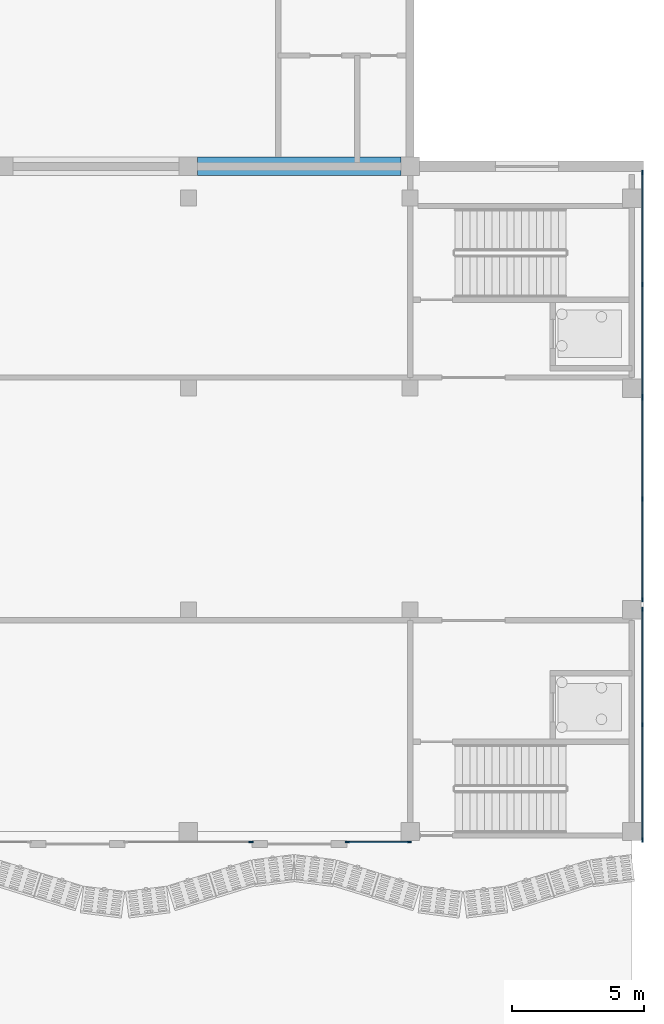
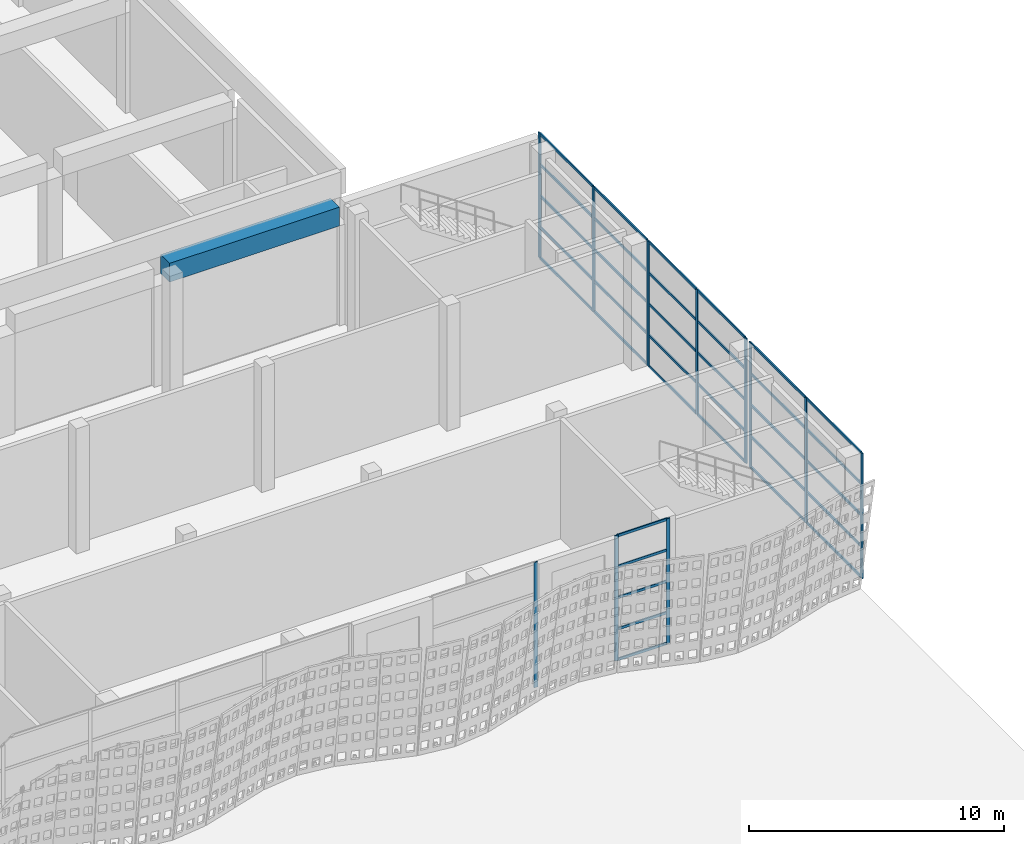
# One storey, part 72 of 210: 47 members, 1 beam, 5 elements without a shape of their own.
"""IFC4 building model written with IfcOpenShell, lengths in metres."""

from ifc_helpers import new_model, si_unit, direction, frame, origin, origin_2d, place, context, subcontext, project, spatial, rectangle, extrude, material, layer, layer_set, material_profile, profile_set, type_object, element, aggregate, save


model = new_model("IFC4")

# Units and contexts
model_context = context("Model", 3, precision=1e-05, world=origin(), true_north=direction((0.0, 1.0)))
body_context = subcontext(model_context, "Body", "Model", "MODEL_VIEW")
ifc_project = project(units=[si_unit("LENGTHUNIT", "METRE"), si_unit("AREAUNIT", "SQUARE_METRE"), si_unit("VOLUMEUNIT", "CUBIC_METRE"), si_unit("PLANEANGLEUNIT", "RADIAN"), si_unit("MASSUNIT", "GRAM", prefix="KILO")], contexts=[model_context])

# Site, building, storey
site_placement = place(None, origin())
site = spatial("IfcSite", under=ifc_project, at=site_placement, CompositionType="ELEMENT")
building_placement = place(site_placement, origin())
building = spatial("IfcBuilding", under=site, at=building_placement, Name="Rain Tree Exposition and Congress Centre", CompositionType="ELEMENT")
storey_placement = place(building_placement, origin())
storey = spatial("IfcBuildingStorey", under=building, at=storey_placement, Name="L00", CompositionType="ELEMENT", Elevation=0.0)

# Curtain wall, member
ifc_material_1 = material(Name="Aluminium curtain wall system", Category="aluminium")
ifc_layer = layer(ifc_material_1, 0.10009765625)
ifc_layer_set = layer_set([ifc_layer], Name="Aluminium curtain wall system")
curtain_wall_type = type_object("IfcCurtainWallType", Name="Concourse curtain wall 4200 module", PredefinedType="NOTDEFINED", material=ifc_layer_set)
curtain_wall_1_placement = place(storey_placement, origin())
curtain_wall_1 = element("IfcCurtainWall", 1, at=curtain_wall_1_placement, inside=storey, type_object=curtain_wall_type, Name="Concourse curtain wall CWC20", PredefinedType="NOTDEFINED")
ifc_material_2 = material(Name="Aluminium mullion", Category="aluminium")
ifc_material_profile_1 = material_profile(ifc_material_2, rectangle(XDim=0.06005859375, YDim=0.159912109375, at=origin_2d()), Name="AL 60x160")
ifc_profile_set_1 = profile_set([ifc_material_profile_1], Name="Aluminium mullion")
member_type_1 = type_object("IfcMemberType", Name="Concourse curtain wall mullion 60x160", PredefinedType="MULLION", material=ifc_profile_set_1)
member_1_placement = place(storey_placement, frame((254.3701171875, 75.199951171875, 0.0), z_axis=(0.0, 0.0, 1.0), x_axis=(0.0, 1.0, 0.0)))
member_1 = element("IfcMember", 2, at=member_1_placement, type_object=member_type_1, Name="CWC20 mullion 2", PredefinedType="MULLION", context=body_context, shape_type="SweptSolid", body=[
    extrude(rectangle(XDim=0.06005859375, YDim=0.159912109375, at=origin_2d()), origin(), (0.0, 0.0, 1.0), 6.0),
])
aggregate(curtain_wall_1, [member_1])

# Curtain wall, members
curtain_wall_2_placement = place(storey_placement, origin())
curtain_wall_2 = element("IfcCurtainWall", 3, at=curtain_wall_2_placement, inside=storey, type_object=curtain_wall_type, Name="Concourse curtain wall CWC21", PredefinedType="NOTDEFINED")
member_2_placement = place(storey_placement, frame((258.030029296875, 75.199951171875, 0.0), z_axis=(0.0, 0.0, 1.0), x_axis=(0.0, 1.0, 0.0)))
member_2 = element("IfcMember", 4, at=member_2_placement, type_object=member_type_1, Name="CWC21 mullion 1", PredefinedType="MULLION", context=body_context, shape_type="SweptSolid", body=[
    extrude(rectangle(XDim=0.06005859375, YDim=0.159912109375, at=origin_2d()), origin(), (0.0, 0.0, 1.0), 6.0),
])
member_3_placement = place(storey_placement, frame((260.3701171875, 75.199951171875, 0.0), z_axis=(0.0, 0.0, 1.0), x_axis=(0.0, 1.0, 0.0)))
member_3 = element("IfcMember", 5, at=member_3_placement, type_object=member_type_1, Name="CWC21 mullion 2", PredefinedType="MULLION", context=body_context, shape_type="SweptSolid", body=[
    extrude(rectangle(XDim=0.06005859375, YDim=0.159912109375, at=origin_2d()), origin(), (0.0, 0.0, 1.0), 6.0),
])

curtain_wall_3_placement = place(storey_placement, origin())
curtain_wall_3 = element("IfcCurtainWall", 6, at=curtain_wall_3_placement, inside=storey, type_object=curtain_wall_type, Name="Concourse curtain wall CWC35", PredefinedType="NOTDEFINED")
member_4_placement = place(storey_placement, frame((269.199951171875, 75.280029296875, 0.0), z_axis=(0.0, 0.0, 1.0), x_axis=(-1.0, 0.0, 0.0)))
member_4 = element("IfcMember", 7, at=member_4_placement, type_object=member_type_1, Name="CWC35 mullion 1", PredefinedType="MULLION", context=body_context, shape_type="SweptSolid", body=[
    extrude(rectangle(XDim=0.06005859375, YDim=0.159912109375, at=origin_2d()), origin(), (0.0, 0.0, 1.0), 6.0),
])
member_5_placement = place(storey_placement, frame((269.199951171875, 79.64990234375, 0.0), z_axis=(0.0, 0.0, 1.0), x_axis=(-1.0, 0.0, 0.0)))
member_5 = element("IfcMember", 8, at=member_5_placement, type_object=member_type_1, Name="CWC35 mullion 2", PredefinedType="MULLION", context=body_context, shape_type="SweptSolid", body=[
    extrude(rectangle(XDim=0.06005859375, YDim=0.159912109375, at=origin_2d()), origin(), (0.0, 0.0, 1.0), 6.0),
])
member_6_placement = place(storey_placement, frame((269.199951171875, 84.02001953125, 0.0), z_axis=(0.0, 0.0, 1.0), x_axis=(-1.0, 0.0, 0.0)))
member_6 = element("IfcMember", 9, at=member_6_placement, type_object=member_type_1, Name="CWC35 mullion 3", PredefinedType="MULLION", context=body_context, shape_type="SweptSolid", body=[
    extrude(rectangle(XDim=0.06005859375, YDim=0.159912109375, at=origin_2d()), origin(), (0.0, 0.0, 1.0), 6.0),
])

curtain_wall_4_placement = place(storey_placement, origin())
curtain_wall_4 = element("IfcCurtainWall", 10, at=curtain_wall_4_placement, inside=storey, type_object=curtain_wall_type, Name="Concourse curtain wall CWC36", PredefinedType="NOTDEFINED")
member_7_placement = place(storey_placement, frame((269.199951171875, 84.3798828125, 0.0), z_axis=(0.0, 0.0, 1.0), x_axis=(-1.0, 0.0, 0.0)))
member_7 = element("IfcMember", 11, at=member_7_placement, type_object=member_type_1, Name="CWC36 mullion 1", PredefinedType="MULLION", context=body_context, shape_type="SweptSolid", body=[
    extrude(rectangle(XDim=0.06005859375, YDim=0.159912109375, at=origin_2d()), origin(), (0.0, 0.0, 1.0), 6.0),
])
member_8_placement = place(storey_placement, frame((269.199951171875, 88.199951171875, 0.0), z_axis=(0.0, 0.0, 1.0), x_axis=(-1.0, 0.0, 0.0)))
member_8 = element("IfcMember", 12, at=member_8_placement, type_object=member_type_1, Name="CWC36 mullion 2", PredefinedType="MULLION", context=body_context, shape_type="SweptSolid", body=[
    extrude(rectangle(XDim=0.06005859375, YDim=0.159912109375, at=origin_2d()), origin(), (0.0, 0.0, 1.0), 6.0),
])
member_9_placement = place(storey_placement, frame((269.199951171875, 92.02001953125, 0.0), z_axis=(0.0, 0.0, 1.0), x_axis=(-1.0, 0.0, 0.0)))
member_9 = element("IfcMember", 13, at=member_9_placement, type_object=member_type_1, Name="CWC36 mullion 3", PredefinedType="MULLION", context=body_context, shape_type="SweptSolid", body=[
    extrude(rectangle(XDim=0.06005859375, YDim=0.159912109375, at=origin_2d()), origin(), (0.0, 0.0, 1.0), 6.0),
])

curtain_wall_5_placement = place(storey_placement, origin())
curtain_wall_5 = element("IfcCurtainWall", 14, at=curtain_wall_5_placement, inside=storey, type_object=curtain_wall_type, Name="Concourse curtain wall CWC37", PredefinedType="NOTDEFINED")
member_10_placement = place(storey_placement, frame((269.199951171875, 92.080078125, 0.0), z_axis=(0.0, 0.0, 1.0), x_axis=(-1.0, 0.0, 0.0)))
member_10 = element("IfcMember", 15, at=member_10_placement, type_object=member_type_1, Name="CWC37 mullion 1", PredefinedType="MULLION", context=body_context, shape_type="SweptSolid", body=[
    extrude(rectangle(XDim=0.06005859375, YDim=0.159912109375, at=origin_2d()), origin(), (0.0, 0.0, 1.0), 6.0),
])
member_11_placement = place(storey_placement, frame((269.199951171875, 96.324951171875, 0.0), z_axis=(0.0, 0.0, 1.0), x_axis=(-1.0, 0.0, 0.0)))
member_11 = element("IfcMember", 16, at=member_11_placement, type_object=member_type_1, Name="CWC37 mullion 2", PredefinedType="MULLION", context=body_context, shape_type="SweptSolid", body=[
    extrude(rectangle(XDim=0.06005859375, YDim=0.159912109375, at=origin_2d()), origin(), (0.0, 0.0, 1.0), 6.0),
])
member_12_placement = place(storey_placement, frame((269.199951171875, 100.570068359375, 0.0), z_axis=(0.0, 0.0, 1.0), x_axis=(-1.0, 0.0, 0.0)))
member_12 = element("IfcMember", 17, at=member_12_placement, type_object=member_type_1, Name="CWC37 mullion 3", PredefinedType="MULLION", context=body_context, shape_type="SweptSolid", body=[
    extrude(rectangle(XDim=0.06005859375, YDim=0.159912109375, at=origin_2d()), origin(), (0.0, 0.0, 1.0), 6.0),
])

# Member
ifc_material_3 = material(Name="Aluminium transom", Category="aluminium")
ifc_material_profile_2 = material_profile(ifc_material_3, rectangle(XDim=0.06005859375, YDim=0.1201171875, at=origin_2d()), Name="AL 60x120")
ifc_profile_set_2 = profile_set([ifc_material_profile_2], Name="Aluminium transom")
member_type_2 = type_object("IfcMemberType", Name="Concourse curtain wall transom 60x120", PredefinedType="USERDEFINED", material=ifc_profile_set_2)
member_13_placement = place(storey_placement, frame((258.06005859375, 75.199951171875, 0.030029296875), z_axis=(1.0, 0.0, 0.0), x_axis=(0.0, 1.0, 0.0)))
member_13 = element("IfcMember", 18, at=member_13_placement, type_object=member_type_2, Name="CWC21 transom 1.1", ObjectType="TRANSOM", PredefinedType="USERDEFINED", context=body_context, shape_type="SweptSolid", body=[
    extrude(rectangle(XDim=0.06005859375, YDim=0.1201171875, at=origin_2d()), origin(), (0.0, 0.0, 1.0), 2.280029296875),
])

member_14_placement = place(storey_placement, frame((258.06005859375, 75.199951171875, 1.5), z_axis=(1.0, 0.0, 0.0), x_axis=(0.0, 1.0, 0.0)))
member_14 = element("IfcMember", 19, at=member_14_placement, type_object=member_type_2, Name="CWC21 transom 1.2", ObjectType="TRANSOM", PredefinedType="USERDEFINED", context=body_context, shape_type="SweptSolid", body=[
    extrude(rectangle(XDim=0.06005859375, YDim=0.1201171875, at=origin_2d()), origin(), (0.0, 0.0, 1.0), 2.280029296875),
])

member_15_placement = place(storey_placement, frame((258.06005859375, 75.199951171875, 3.0), z_axis=(1.0, 0.0, 0.0), x_axis=(0.0, 1.0, 0.0)))
member_15 = element("IfcMember", 20, at=member_15_placement, type_object=member_type_2, Name="CWC21 transom 1.3", ObjectType="TRANSOM", PredefinedType="USERDEFINED", context=body_context, shape_type="SweptSolid", body=[
    extrude(rectangle(XDim=0.06005859375, YDim=0.1201171875, at=origin_2d()), origin(), (0.0, 0.0, 1.0), 2.280029296875),
])

member_16_placement = place(storey_placement, frame((258.06005859375, 75.199951171875, 4.5), z_axis=(1.0, 0.0, 0.0), x_axis=(0.0, 1.0, 0.0)))
member_16 = element("IfcMember", 21, at=member_16_placement, type_object=member_type_2, Name="CWC21 transom 1.4", ObjectType="TRANSOM", PredefinedType="USERDEFINED", context=body_context, shape_type="SweptSolid", body=[
    extrude(rectangle(XDim=0.06005859375, YDim=0.1201171875, at=origin_2d()), origin(), (0.0, 0.0, 1.0), 2.280029296875),
])

member_17_placement = place(storey_placement, frame((258.06005859375, 75.199951171875, 5.969970703125), z_axis=(1.0, 0.0, 0.0), x_axis=(0.0, 1.0, 0.0)))
member_17 = element("IfcMember", 22, at=member_17_placement, type_object=member_type_2, Name="CWC21 transom 1.5", ObjectType="TRANSOM", PredefinedType="USERDEFINED", context=body_context, shape_type="SweptSolid", body=[
    extrude(rectangle(XDim=0.06005859375, YDim=0.1201171875, at=origin_2d()), origin(), (0.0, 0.0, 1.0), 2.280029296875),
])

aggregate(curtain_wall_2, [member_2, member_3, member_13, member_14, member_15, member_16, member_17])

member_18_placement = place(storey_placement, frame((269.199951171875, 75.31005859375, 0.030029296875), z_axis=(0.0, 1.0, 0.0), x_axis=(-1.0, 0.0, 0.0)))
member_18 = element("IfcMember", 23, at=member_18_placement, type_object=member_type_2, Name="CWC35 transom 1.1", ObjectType="TRANSOM", PredefinedType="USERDEFINED", context=body_context, shape_type="SweptSolid", body=[
    extrude(rectangle(XDim=0.06005859375, YDim=0.1201171875, at=origin_2d()), origin(), (0.0, 0.0, 1.0), 4.31005859375),
])

member_19_placement = place(storey_placement, frame((269.199951171875, 75.31005859375, 1.5), z_axis=(0.0, 1.0, 0.0), x_axis=(-1.0, 0.0, 0.0)))
member_19 = element("IfcMember", 24, at=member_19_placement, type_object=member_type_2, Name="CWC35 transom 1.2", ObjectType="TRANSOM", PredefinedType="USERDEFINED", context=body_context, shape_type="SweptSolid", body=[
    extrude(rectangle(XDim=0.06005859375, YDim=0.1201171875, at=origin_2d()), origin(), (0.0, 0.0, 1.0), 4.31005859375),
])

member_20_placement = place(storey_placement, frame((269.199951171875, 75.31005859375, 3.0), z_axis=(0.0, 1.0, 0.0), x_axis=(-1.0, 0.0, 0.0)))
member_20 = element("IfcMember", 25, at=member_20_placement, type_object=member_type_2, Name="CWC35 transom 1.3", ObjectType="TRANSOM", PredefinedType="USERDEFINED", context=body_context, shape_type="SweptSolid", body=[
    extrude(rectangle(XDim=0.06005859375, YDim=0.1201171875, at=origin_2d()), origin(), (0.0, 0.0, 1.0), 4.31005859375),
])

member_21_placement = place(storey_placement, frame((269.199951171875, 75.31005859375, 4.5), z_axis=(0.0, 1.0, 0.0), x_axis=(-1.0, 0.0, 0.0)))
member_21 = element("IfcMember", 26, at=member_21_placement, type_object=member_type_2, Name="CWC35 transom 1.4", ObjectType="TRANSOM", PredefinedType="USERDEFINED", context=body_context, shape_type="SweptSolid", body=[
    extrude(rectangle(XDim=0.06005859375, YDim=0.1201171875, at=origin_2d()), origin(), (0.0, 0.0, 1.0), 4.31005859375),
])

member_22_placement = place(storey_placement, frame((269.199951171875, 75.31005859375, 5.969970703125), z_axis=(0.0, 1.0, 0.0), x_axis=(-1.0, 0.0, 0.0)))
member_22 = element("IfcMember", 27, at=member_22_placement, type_object=member_type_2, Name="CWC35 transom 1.5", ObjectType="TRANSOM", PredefinedType="USERDEFINED", context=body_context, shape_type="SweptSolid", body=[
    extrude(rectangle(XDim=0.06005859375, YDim=0.1201171875, at=origin_2d()), origin(), (0.0, 0.0, 1.0), 4.31005859375),
])

member_23_placement = place(storey_placement, frame((269.199951171875, 79.679931640625, 0.030029296875), z_axis=(0.0, 1.0, 0.0), x_axis=(-1.0, 0.0, 0.0)))
member_23 = element("IfcMember", 28, at=member_23_placement, type_object=member_type_2, Name="CWC35 transom 2.1", ObjectType="TRANSOM", PredefinedType="USERDEFINED", context=body_context, shape_type="SweptSolid", body=[
    extrude(rectangle(XDim=0.06005859375, YDim=0.1201171875, at=origin_2d()), origin(), (0.0, 0.0, 1.0), 4.31005859375),
])

member_24_placement = place(storey_placement, frame((269.199951171875, 79.679931640625, 1.5), z_axis=(0.0, 1.0, 0.0), x_axis=(-1.0, 0.0, 0.0)))
member_24 = element("IfcMember", 29, at=member_24_placement, type_object=member_type_2, Name="CWC35 transom 2.2", ObjectType="TRANSOM", PredefinedType="USERDEFINED", context=body_context, shape_type="SweptSolid", body=[
    extrude(rectangle(XDim=0.06005859375, YDim=0.1201171875, at=origin_2d()), origin(), (0.0, 0.0, 1.0), 4.31005859375),
])

member_25_placement = place(storey_placement, frame((269.199951171875, 79.679931640625, 3.0), z_axis=(0.0, 1.0, 0.0), x_axis=(-1.0, 0.0, 0.0)))
member_25 = element("IfcMember", 30, at=member_25_placement, type_object=member_type_2, Name="CWC35 transom 2.3", ObjectType="TRANSOM", PredefinedType="USERDEFINED", context=body_context, shape_type="SweptSolid", body=[
    extrude(rectangle(XDim=0.06005859375, YDim=0.1201171875, at=origin_2d()), origin(), (0.0, 0.0, 1.0), 4.31005859375),
])

member_26_placement = place(storey_placement, frame((269.199951171875, 79.679931640625, 4.5), z_axis=(0.0, 1.0, 0.0), x_axis=(-1.0, 0.0, 0.0)))
member_26 = element("IfcMember", 31, at=member_26_placement, type_object=member_type_2, Name="CWC35 transom 2.4", ObjectType="TRANSOM", PredefinedType="USERDEFINED", context=body_context, shape_type="SweptSolid", body=[
    extrude(rectangle(XDim=0.06005859375, YDim=0.1201171875, at=origin_2d()), origin(), (0.0, 0.0, 1.0), 4.31005859375),
])

member_27_placement = place(storey_placement, frame((269.199951171875, 79.679931640625, 5.969970703125), z_axis=(0.0, 1.0, 0.0), x_axis=(-1.0, 0.0, 0.0)))
member_27 = element("IfcMember", 32, at=member_27_placement, type_object=member_type_2, Name="CWC35 transom 2.5", ObjectType="TRANSOM", PredefinedType="USERDEFINED", context=body_context, shape_type="SweptSolid", body=[
    extrude(rectangle(XDim=0.06005859375, YDim=0.1201171875, at=origin_2d()), origin(), (0.0, 0.0, 1.0), 4.31005859375),
])

aggregate(curtain_wall_3, [member_4, member_5, member_6, member_18, member_19, member_20, member_21, member_22, member_23, member_24, member_25, member_26, member_27])

member_28_placement = place(storey_placement, frame((269.199951171875, 84.409912109375, 0.030029296875), z_axis=(0.0, 1.0, 0.0), x_axis=(-1.0, 0.0, 0.0)))
member_28 = element("IfcMember", 33, at=member_28_placement, type_object=member_type_2, Name="CWC36 transom 1.1", ObjectType="TRANSOM", PredefinedType="USERDEFINED", context=body_context, shape_type="SweptSolid", body=[
    extrude(rectangle(XDim=0.06005859375, YDim=0.1201171875, at=origin_2d()), origin(), (0.0, 0.0, 1.0), 3.760009765625),
])

member_29_placement = place(storey_placement, frame((269.199951171875, 84.409912109375, 1.5), z_axis=(0.0, 1.0, 0.0), x_axis=(-1.0, 0.0, 0.0)))
member_29 = element("IfcMember", 34, at=member_29_placement, type_object=member_type_2, Name="CWC36 transom 1.2", ObjectType="TRANSOM", PredefinedType="USERDEFINED", context=body_context, shape_type="SweptSolid", body=[
    extrude(rectangle(XDim=0.06005859375, YDim=0.1201171875, at=origin_2d()), origin(), (0.0, 0.0, 1.0), 3.760009765625),
])

member_30_placement = place(storey_placement, frame((269.199951171875, 84.409912109375, 3.0), z_axis=(0.0, 1.0, 0.0), x_axis=(-1.0, 0.0, 0.0)))
member_30 = element("IfcMember", 35, at=member_30_placement, type_object=member_type_2, Name="CWC36 transom 1.3", ObjectType="TRANSOM", PredefinedType="USERDEFINED", context=body_context, shape_type="SweptSolid", body=[
    extrude(rectangle(XDim=0.06005859375, YDim=0.1201171875, at=origin_2d()), origin(), (0.0, 0.0, 1.0), 3.760009765625),
])

member_31_placement = place(storey_placement, frame((269.199951171875, 84.409912109375, 4.5), z_axis=(0.0, 1.0, 0.0), x_axis=(-1.0, 0.0, 0.0)))
member_31 = element("IfcMember", 36, at=member_31_placement, type_object=member_type_2, Name="CWC36 transom 1.4", ObjectType="TRANSOM", PredefinedType="USERDEFINED", context=body_context, shape_type="SweptSolid", body=[
    extrude(rectangle(XDim=0.06005859375, YDim=0.1201171875, at=origin_2d()), origin(), (0.0, 0.0, 1.0), 3.760009765625),
])

member_32_placement = place(storey_placement, frame((269.199951171875, 84.409912109375, 5.969970703125), z_axis=(0.0, 1.0, 0.0), x_axis=(-1.0, 0.0, 0.0)))
member_32 = element("IfcMember", 37, at=member_32_placement, type_object=member_type_2, Name="CWC36 transom 1.5", ObjectType="TRANSOM", PredefinedType="USERDEFINED", context=body_context, shape_type="SweptSolid", body=[
    extrude(rectangle(XDim=0.06005859375, YDim=0.1201171875, at=origin_2d()), origin(), (0.0, 0.0, 1.0), 3.760009765625),
])

member_33_placement = place(storey_placement, frame((269.199951171875, 88.22998046875, 0.030029296875), z_axis=(0.0, 1.0, 0.0), x_axis=(-1.0, 0.0, 0.0)))
member_33 = element("IfcMember", 38, at=member_33_placement, type_object=member_type_2, Name="CWC36 transom 2.1", ObjectType="TRANSOM", PredefinedType="USERDEFINED", context=body_context, shape_type="SweptSolid", body=[
    extrude(rectangle(XDim=0.06005859375, YDim=0.1201171875, at=origin_2d()), origin(), (0.0, 0.0, 1.0), 3.760009765625),
])

member_34_placement = place(storey_placement, frame((269.199951171875, 88.22998046875, 1.5), z_axis=(0.0, 1.0, 0.0), x_axis=(-1.0, 0.0, 0.0)))
member_34 = element("IfcMember", 39, at=member_34_placement, type_object=member_type_2, Name="CWC36 transom 2.2", ObjectType="TRANSOM", PredefinedType="USERDEFINED", context=body_context, shape_type="SweptSolid", body=[
    extrude(rectangle(XDim=0.06005859375, YDim=0.1201171875, at=origin_2d()), origin(), (0.0, 0.0, 1.0), 3.760009765625),
])

member_35_placement = place(storey_placement, frame((269.199951171875, 88.22998046875, 3.0), z_axis=(0.0, 1.0, 0.0), x_axis=(-1.0, 0.0, 0.0)))
member_35 = element("IfcMember", 40, at=member_35_placement, type_object=member_type_2, Name="CWC36 transom 2.3", ObjectType="TRANSOM", PredefinedType="USERDEFINED", context=body_context, shape_type="SweptSolid", body=[
    extrude(rectangle(XDim=0.06005859375, YDim=0.1201171875, at=origin_2d()), origin(), (0.0, 0.0, 1.0), 3.760009765625),
])

member_36_placement = place(storey_placement, frame((269.199951171875, 88.22998046875, 4.5), z_axis=(0.0, 1.0, 0.0), x_axis=(-1.0, 0.0, 0.0)))
member_36 = element("IfcMember", 41, at=member_36_placement, type_object=member_type_2, Name="CWC36 transom 2.4", ObjectType="TRANSOM", PredefinedType="USERDEFINED", context=body_context, shape_type="SweptSolid", body=[
    extrude(rectangle(XDim=0.06005859375, YDim=0.1201171875, at=origin_2d()), origin(), (0.0, 0.0, 1.0), 3.760009765625),
])

member_37_placement = place(storey_placement, frame((269.199951171875, 88.22998046875, 5.969970703125), z_axis=(0.0, 1.0, 0.0), x_axis=(-1.0, 0.0, 0.0)))
member_37 = element("IfcMember", 42, at=member_37_placement, type_object=member_type_2, Name="CWC36 transom 2.5", ObjectType="TRANSOM", PredefinedType="USERDEFINED", context=body_context, shape_type="SweptSolid", body=[
    extrude(rectangle(XDim=0.06005859375, YDim=0.1201171875, at=origin_2d()), origin(), (0.0, 0.0, 1.0), 3.760009765625),
])

aggregate(curtain_wall_4, [member_7, member_8, member_9, member_28, member_29, member_30, member_31, member_32, member_33, member_34, member_35, member_36, member_37])

member_38_placement = place(storey_placement, frame((269.199951171875, 92.110107421875, 0.030029296875), z_axis=(0.0, 1.0, 0.0), x_axis=(-1.0, 0.0, 0.0)))
member_38 = element("IfcMember", 43, at=member_38_placement, type_object=member_type_2, Name="CWC37 transom 1.1", ObjectType="TRANSOM", PredefinedType="USERDEFINED", context=body_context, shape_type="SweptSolid", body=[
    extrude(rectangle(XDim=0.06005859375, YDim=0.1201171875, at=origin_2d()), origin(), (0.0, 0.0, 1.0), 4.184814453125),
])

member_39_placement = place(storey_placement, frame((269.199951171875, 92.110107421875, 1.5), z_axis=(0.0, 1.0, 0.0), x_axis=(-1.0, 0.0, 0.0)))
member_39 = element("IfcMember", 44, at=member_39_placement, type_object=member_type_2, Name="CWC37 transom 1.2", ObjectType="TRANSOM", PredefinedType="USERDEFINED", context=body_context, shape_type="SweptSolid", body=[
    extrude(rectangle(XDim=0.06005859375, YDim=0.1201171875, at=origin_2d()), origin(), (0.0, 0.0, 1.0), 4.184814453125),
])

member_40_placement = place(storey_placement, frame((269.199951171875, 92.110107421875, 3.0), z_axis=(0.0, 1.0, 0.0), x_axis=(-1.0, 0.0, 0.0)))
member_40 = element("IfcMember", 45, at=member_40_placement, type_object=member_type_2, Name="CWC37 transom 1.3", ObjectType="TRANSOM", PredefinedType="USERDEFINED", context=body_context, shape_type="SweptSolid", body=[
    extrude(rectangle(XDim=0.06005859375, YDim=0.1201171875, at=origin_2d()), origin(), (0.0, 0.0, 1.0), 4.184814453125),
])

member_41_placement = place(storey_placement, frame((269.199951171875, 92.110107421875, 4.5), z_axis=(0.0, 1.0, 0.0), x_axis=(-1.0, 0.0, 0.0)))
member_41 = element("IfcMember", 46, at=member_41_placement, type_object=member_type_2, Name="CWC37 transom 1.4", ObjectType="TRANSOM", PredefinedType="USERDEFINED", context=body_context, shape_type="SweptSolid", body=[
    extrude(rectangle(XDim=0.06005859375, YDim=0.1201171875, at=origin_2d()), origin(), (0.0, 0.0, 1.0), 4.184814453125),
])

member_42_placement = place(storey_placement, frame((269.199951171875, 92.110107421875, 5.969970703125), z_axis=(0.0, 1.0, 0.0), x_axis=(-1.0, 0.0, 0.0)))
member_42 = element("IfcMember", 47, at=member_42_placement, type_object=member_type_2, Name="CWC37 transom 1.5", ObjectType="TRANSOM", PredefinedType="USERDEFINED", context=body_context, shape_type="SweptSolid", body=[
    extrude(rectangle(XDim=0.06005859375, YDim=0.1201171875, at=origin_2d()), origin(), (0.0, 0.0, 1.0), 4.184814453125),
])

member_43_placement = place(storey_placement, frame((269.199951171875, 96.35498046875, 0.030029296875), z_axis=(0.0, 1.0, 0.0), x_axis=(-1.0, 0.0, 0.0)))
member_43 = element("IfcMember", 48, at=member_43_placement, type_object=member_type_2, Name="CWC37 transom 2.1", ObjectType="TRANSOM", PredefinedType="USERDEFINED", context=body_context, shape_type="SweptSolid", body=[
    extrude(rectangle(XDim=0.06005859375, YDim=0.1201171875, at=origin_2d()), origin(), (0.0, 0.0, 1.0), 4.18505859375),
])

member_44_placement = place(storey_placement, frame((269.199951171875, 96.35498046875, 1.5), z_axis=(0.0, 1.0, 0.0), x_axis=(-1.0, 0.0, 0.0)))
member_44 = element("IfcMember", 49, at=member_44_placement, type_object=member_type_2, Name="CWC37 transom 2.2", ObjectType="TRANSOM", PredefinedType="USERDEFINED", context=body_context, shape_type="SweptSolid", body=[
    extrude(rectangle(XDim=0.06005859375, YDim=0.1201171875, at=origin_2d()), origin(), (0.0, 0.0, 1.0), 4.18505859375),
])

member_45_placement = place(storey_placement, frame((269.199951171875, 96.35498046875, 3.0), z_axis=(0.0, 1.0, 0.0), x_axis=(-1.0, 0.0, 0.0)))
member_45 = element("IfcMember", 50, at=member_45_placement, type_object=member_type_2, Name="CWC37 transom 2.3", ObjectType="TRANSOM", PredefinedType="USERDEFINED", context=body_context, shape_type="SweptSolid", body=[
    extrude(rectangle(XDim=0.06005859375, YDim=0.1201171875, at=origin_2d()), origin(), (0.0, 0.0, 1.0), 4.18505859375),
])

member_46_placement = place(storey_placement, frame((269.199951171875, 96.35498046875, 4.5), z_axis=(0.0, 1.0, 0.0), x_axis=(-1.0, 0.0, 0.0)))
member_46 = element("IfcMember", 51, at=member_46_placement, type_object=member_type_2, Name="CWC37 transom 2.4", ObjectType="TRANSOM", PredefinedType="USERDEFINED", context=body_context, shape_type="SweptSolid", body=[
    extrude(rectangle(XDim=0.06005859375, YDim=0.1201171875, at=origin_2d()), origin(), (0.0, 0.0, 1.0), 4.18505859375),
])

member_47_placement = place(storey_placement, frame((269.199951171875, 96.35498046875, 5.969970703125), z_axis=(0.0, 1.0, 0.0), x_axis=(-1.0, 0.0, 0.0)))
member_47 = element("IfcMember", 52, at=member_47_placement, type_object=member_type_2, Name="CWC37 transom 2.5", ObjectType="TRANSOM", PredefinedType="USERDEFINED", context=body_context, shape_type="SweptSolid", body=[
    extrude(rectangle(XDim=0.06005859375, YDim=0.1201171875, at=origin_2d()), origin(), (0.0, 0.0, 1.0), 4.18505859375),
])

aggregate(curtain_wall_5, [member_10, member_11, member_12, member_38, member_39, member_40, member_41, member_42, member_43, member_44, member_45, member_46, member_47])

# Beam
ifc_material_4 = material(Name="Precast concrete C50/60", Category="concrete")
ifc_material_profile_3 = material_profile(ifc_material_4, rectangle(XDim=0.699951171875, YDim=0.89990234375, at=origin_2d()), Name="RC 700x900")
ifc_profile_set_3 = profile_set([ifc_material_profile_3], Name="Precast concrete C50/60")
beam_type = type_object("IfcBeamType", Name="Precast beam 700x900", PredefinedType="BEAM", material=ifc_profile_set_3)
beam_placement = place(storey_placement, frame((252.35009765625, 100.800048828125, 5.25), z_axis=(1.0, 0.0, 0.0), x_axis=(0.0, 1.0, 0.0)))
element("IfcBeam", 53, at=beam_placement, inside=storey, type_object=beam_type, Name="Service roof beam 2", PredefinedType="BEAM", context=body_context, shape_type="SweptSolid", body=[
    extrude(rectangle(XDim=0.699951171875, YDim=0.89990234375, at=origin_2d()), origin(), (0.0, 0.0, 1.0), 7.699951171875),
])

save(model, "model.ifc")
